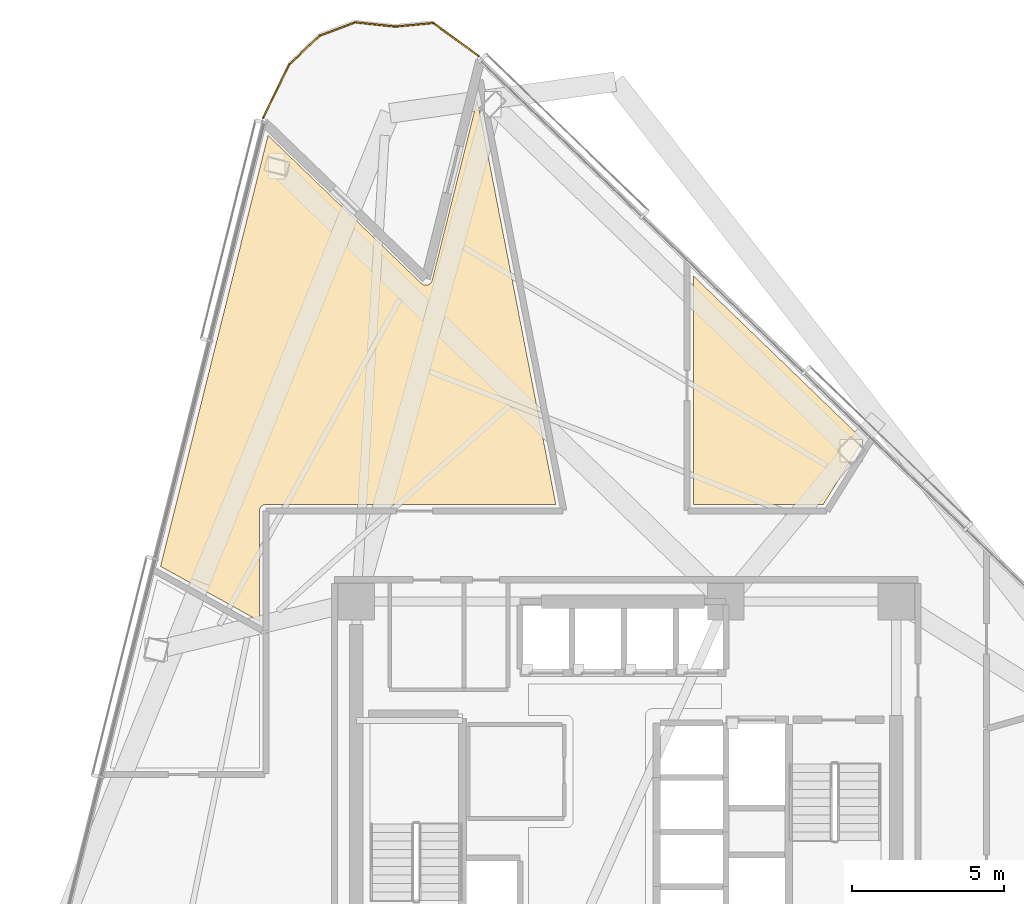
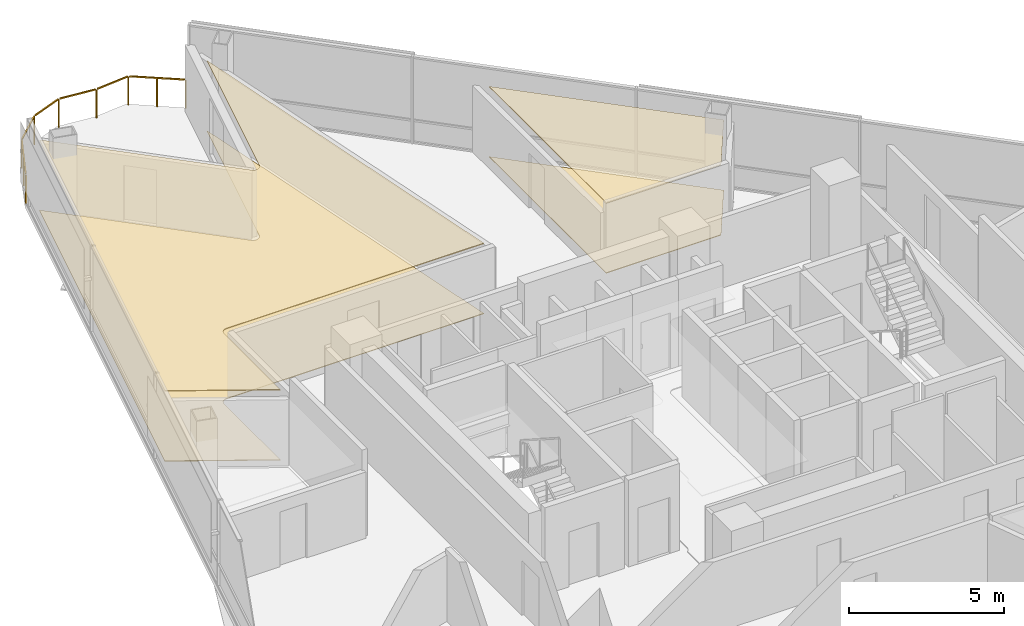
# One storey, part 20 of 21: 4 coverings, 1 railing.
"""IFC4 building model written with IfcOpenShell, lengths in metres."""

from ifc_helpers import new_model, si_unit, direction, frame, origin, origin_2d, place, context, subcontext, project, spatial, polyline, rectangle, outline, extrude, material, layer, layer_set, type_object, element, save


model = new_model("IFC4")

# Units and contexts
model_context = context("Model", 3, precision=1e-05, world=origin(), true_north=direction((0.0, 1.0)))
body_context = subcontext(model_context, "Body", "Model", "MODEL_VIEW")
ifc_project = project(units=[si_unit("LENGTHUNIT", "METRE"), si_unit("AREAUNIT", "SQUARE_METRE"), si_unit("VOLUMEUNIT", "CUBIC_METRE"), si_unit("PLANEANGLEUNIT", "RADIAN"), si_unit("MASSUNIT", "GRAM", prefix="KILO")], contexts=[model_context])

# Site, building, storey
site_placement = place(None, origin())
site = spatial("IfcSite", under=ifc_project, at=site_placement, CompositionType="ELEMENT")
building_placement = place(site_placement, origin())
building = spatial("IfcBuilding", under=site, at=building_placement, Name="Tharavind Bronze Gate", CompositionType="ELEMENT")
storey_placement = place(building_placement, frame((0.0, 0.0, 86.10009765625)))
storey = spatial("IfcBuildingStorey", under=building, at=storey_placement, Name="L21", CompositionType="ELEMENT", Elevation=86.10009765625)

# Coverings
ifc_material_1 = material(Name="Perforated Bronze Acoustic Panel", Category="bronze")
ifc_layer_1 = layer(ifc_material_1, 0.044921875)
ifc_layer_set_1 = layer_set([ifc_layer_1], Name="Perforated Bronze Acoustic Panel")
covering_type_1 = type_object("IfcCoveringType", Name="ACOUSTIC BRONZE BAFFLE CEILING", PredefinedType="CEILING", material=ifc_layer_set_1)
covering_1_placement = place(storey_placement, frame((0.0, 0.0, 2.75)))
element("IfcCovering", 1, at=covering_1_placement, inside=storey, type_object=covering_type_1, Name="L21-RM-03 suspended ceiling", PredefinedType="CEILING", context=body_context, shape_type="SweptSolid", body=[
    extrude(outline(polyline([(-12.10009765625, 6.958740234375), (-12.10009765625, 10.579345703125), (-12.099609375, 10.590087890625), (-12.099609375, 10.5908203125), (-12.09765625, 10.6123046875), (-12.093505859375, 10.63330078125), (-12.087158203125, 10.654052734375), (-12.078857421875, 10.674072265625), (-12.068603515625, 10.693115234375), (-12.056640625, 10.7109375), (-12.04296875, 10.727783203125), (-12.027587890625, 10.742919921875), (-12.010986328125, 10.756591796875), (-11.9931640625, 10.768798828125), (-11.97412109375, 10.77880859375), (-11.9541015625, 10.787109375), (-11.933349609375, 10.79345703125), (-11.912353515625, 10.797607421875), (-11.890869140625, 10.7998046875), (-11.89013671875, 10.7998046875), (-11.87939453125, 10.800048828125), (-2.323486328125, 10.800048828125), (-4.91650390625, 24.1396484375), (-6.39697265625, 18.201171875), (-6.39990234375, 18.1904296875), (-6.400146484375, 18.18994140625), (-6.407470703125, 18.169189453125), (-6.4169921875, 18.1494140625), (-6.42822265625, 18.130615234375), (-6.44140625, 18.11328125), (-6.456298828125, 18.096923828125), (-6.47265625, 18.08251953125), (-6.490234375, 18.069580078125), (-6.50927734375, 18.05859375), (-6.529296875, 18.04931640625), (-6.550048828125, 18.042236328125), (-6.5712890625, 18.037353515625), (-6.593017578125, 18.034423828125), (-6.614990234375, 18.03369140625), (-6.636962890625, 18.035400390625), (-6.658447265625, 18.0390625), (-6.6796875, 18.044921875), (-6.7001953125, 18.052734375), (-6.7197265625, 18.062744140625), (-6.738037109375, 18.074462890625), (-6.75537109375, 18.088134765625), (-6.755859375, 18.08837890625), (-6.763916015625, 18.095947265625), (-11.8125, 22.97119140625), (-15.35498046875, 8.762939453125), (-12.10009765625, 6.958740234375)])), origin(), (0.0, 0.0, 1.0), 0.034912109375),
])
ifc_material_2 = material(Name="Engineered Oak & Carpet Tile", Category="wood")
ifc_layer_2 = layer(ifc_material_2, 0.02490234375)
ifc_layer_set_2 = layer_set([ifc_layer_2], Name="Engineered Oak & Carpet Tile")
covering_type_2 = type_object("IfcCoveringType", Name="ENGINEERED TIMBER FLOORING", PredefinedType="FLOORING", material=ifc_layer_set_2)
covering_2_placement = place(storey_placement, origin())
element("IfcCovering", 2, at=covering_2_placement, inside=storey, type_object=covering_type_2, Name="L21-RM-02 floor finish", PredefinedType="FLOORING", context=body_context, shape_type="SweptSolid", body=[
    extrude(outline(polyline([(2.219970703125, 10.800048828125), (6.4892578125, 10.800048828125), (7.816650390625, 12.924560546875), (2.219970703125, 18.329345703125), (2.219970703125, 10.800048828125)])), origin(), (0.0, 0.0, 1.0), 0.02490234375),
])
covering_3_placement = place(storey_placement, origin())
element("IfcCovering", 3, at=covering_3_placement, inside=storey, type_object=covering_type_2, Name="L21-RM-03 floor finish", PredefinedType="FLOORING", context=body_context, shape_type="SweptSolid", body=[
    extrude(outline(polyline([(-12.10009765625, 6.958740234375), (-12.10009765625, 10.579345703125), (-12.099609375, 10.590087890625), (-12.099609375, 10.5908203125), (-12.09765625, 10.6123046875), (-12.093505859375, 10.63330078125), (-12.087158203125, 10.654052734375), (-12.078857421875, 10.674072265625), (-12.068603515625, 10.693115234375), (-12.056640625, 10.7109375), (-12.04296875, 10.727783203125), (-12.027587890625, 10.742919921875), (-12.010986328125, 10.756591796875), (-11.9931640625, 10.768798828125), (-11.97412109375, 10.77880859375), (-11.9541015625, 10.787109375), (-11.933349609375, 10.79345703125), (-11.912353515625, 10.797607421875), (-11.890869140625, 10.7998046875), (-11.89013671875, 10.7998046875), (-11.87939453125, 10.800048828125), (-2.323486328125, 10.800048828125), (-4.91650390625, 24.1396484375), (-6.39697265625, 18.201171875), (-6.39990234375, 18.1904296875), (-6.400146484375, 18.18994140625), (-6.407470703125, 18.169189453125), (-6.4169921875, 18.1494140625), (-6.42822265625, 18.130615234375), (-6.44140625, 18.11328125), (-6.456298828125, 18.096923828125), (-6.47265625, 18.08251953125), (-6.490234375, 18.069580078125), (-6.50927734375, 18.05859375), (-6.529296875, 18.04931640625), (-6.550048828125, 18.042236328125), (-6.5712890625, 18.037353515625), (-6.593017578125, 18.034423828125), (-6.614990234375, 18.03369140625), (-6.636962890625, 18.035400390625), (-6.658447265625, 18.0390625), (-6.6796875, 18.044921875), (-6.7001953125, 18.052734375), (-6.7197265625, 18.062744140625), (-6.738037109375, 18.074462890625), (-6.75537109375, 18.088134765625), (-6.755859375, 18.08837890625), (-6.763916015625, 18.095947265625), (-11.8125, 22.97119140625), (-15.35498046875, 8.762939453125), (-12.10009765625, 6.958740234375)])), origin(), (0.0, 0.0, 1.0), 0.02490234375),
])
ifc_material_3 = material(Name="Acoustic Gypsum Board", Category="gypsum")
ifc_layer_3 = layer(ifc_material_3, 0.030029296875)
ifc_layer_set_3 = layer_set([ifc_layer_3], Name="Acoustic Gypsum Board")
covering_type_3 = type_object("IfcCoveringType", Name="GYPSUM SUSPENDED CEILING", PredefinedType="CEILING", material=ifc_layer_set_3)
covering_4_placement = place(storey_placement, frame((0.0, 0.0, 2.75)))
element("IfcCovering", 4, at=covering_4_placement, inside=storey, type_object=covering_type_3, Name="L21-RM-02 suspended ceiling", PredefinedType="CEILING", context=body_context, shape_type="SweptSolid", body=[
    extrude(outline(polyline([(2.219970703125, 10.800048828125), (6.4892578125, 10.800048828125), (7.816650390625, 12.924560546875), (2.219970703125, 18.329345703125), (2.219970703125, 10.800048828125)])), origin(), (0.0, 0.0, 1.0), 0.034912109375),
])

# Railing
ifc_material_4 = material(Name="Bronze Cap & Laminated Glass", Category="glass")
railing_type = type_object("IfcRailingType", Name="TERRACE GLASS GUARD RAILING 1150", PredefinedType="GUARDRAIL", material=ifc_material_4)
railing_placement = place(storey_placement, frame((-11.977783203125, 23.548095703125, 0.0)))
element("IfcRailing", 5, at=railing_placement, inside=storey, type_object=railing_type, Name="L21 tree balcony guard railing", PredefinedType="GUARDRAIL", context=body_context, shape_type="SweptSolid", body=[
    extrude(rectangle(XDim=0.048095703125, YDim=0.048095703125, at=origin_2d()), frame((0.01416015625, 0.02880859375, 1.1259765625), z_axis=(0.441156065907, 0.897430401487, 0.0), x_axis=(-0.897430401487, 0.441156065907, 0.0)), (0.0, 0.0, 1.0), 1.90625),
    extrude(rectangle(XDim=0.048095703125, YDim=0.048095703125, at=origin_2d()), frame((0.892578125, 1.7900390625, 1.1259765625), z_axis=(0.730328135608, 0.683096489772, 0.0), x_axis=(-0.683096489772, 0.730328135608, 0.0)), (0.0, 0.0, 1.0), 1.3212890625),
    extrude(rectangle(XDim=0.048095703125, YDim=0.048095703125, at=origin_2d()), frame((1.910888671875, 2.7255859375, 1.1259765625), z_axis=(0.936134406694, 0.351642393071, 0.0), x_axis=(-0.351642393071, 0.936134406694, 0.0)), (0.0, 0.0, 1.0), 1.17333984375),
    extrude(rectangle(XDim=0.048095703125, YDim=0.048095703125, at=origin_2d()), frame((3.07080078125, 3.14599609375, 1.1259765625), z_axis=(0.994513494848, -0.104608358011, 0.0), x_axis=(0.104608358011, 0.994513494848, 0.0)), (0.0, 0.0, 1.0), 1.266357421875),
    extrude(rectangle(XDim=0.048095703125, YDim=0.048095703125, at=origin_2d()), frame((4.393798828125, 3.01318359375, 1.1259765625), z_axis=(0.995611027897, 0.093587825761, 0.0), x_axis=(-0.093587825761, 0.995611027897, 0.0)), (0.0, 0.0, 1.0), 1.190673828125),
    extrude(rectangle(XDim=0.048095703125, YDim=0.048095703125, at=origin_2d()), frame((5.63720703125, 3.10888671875, 1.1259765625), z_axis=(0.809873110724, -0.586605101006, 0.0), x_axis=(0.586605101006, 0.809873110724, 0.0)), (0.0, 0.0, 1.0), 1.79052734375),
    extrude(rectangle(XDim=0.0400390625, YDim=0.0400390625, at=origin_2d()), origin(), (0.0, 0.0, 1.0), 1.097900390625),
    extrude(rectangle(XDim=0.0400390625, YDim=0.0400390625, at=origin_2d()), frame((0.4345703125, 0.884033203125, 0.0)), (0.0, 0.0, 1.0), 1.097900390625),
    extrude(rectangle(XDim=0.0400390625, YDim=0.0400390625, at=origin_2d()), frame((0.869140625, 1.76806640625, 0.0)), (0.0, 0.0, 1.0), 1.097900390625),
    extrude(rectangle(XDim=0.0400390625, YDim=0.0400390625, at=origin_2d()), frame((1.880859375, 2.71435546875, 0.0)), (0.0, 0.0, 1.0), 1.097900390625),
    extrude(rectangle(XDim=0.0400390625, YDim=0.0400390625, at=origin_2d()), frame((3.0390625, 3.1494140625, 0.0)), (0.0, 0.0, 1.0), 1.097900390625),
    extrude(rectangle(XDim=0.0400390625, YDim=0.0400390625, at=origin_2d()), frame((4.362060546875, 3.01025390625, 0.0)), (0.0, 0.0, 1.0), 1.097900390625),
    extrude(rectangle(XDim=0.0400390625, YDim=0.0400390625, at=origin_2d()), frame((5.611328125, 3.127685546875, 0.0)), (0.0, 0.0, 1.0), 1.097900390625),
    extrude(rectangle(XDim=0.0400390625, YDim=0.0400390625, at=origin_2d()), frame((6.3623046875, 2.583740234375, 0.0)), (0.0, 0.0, 1.0), 1.097900390625),
    extrude(rectangle(XDim=0.0400390625, YDim=0.0400390625, at=origin_2d()), frame((7.11328125, 2.039794921875, 0.0)), (0.0, 0.0, 1.0), 1.097900390625),
])

save(model, "model.ifc")
